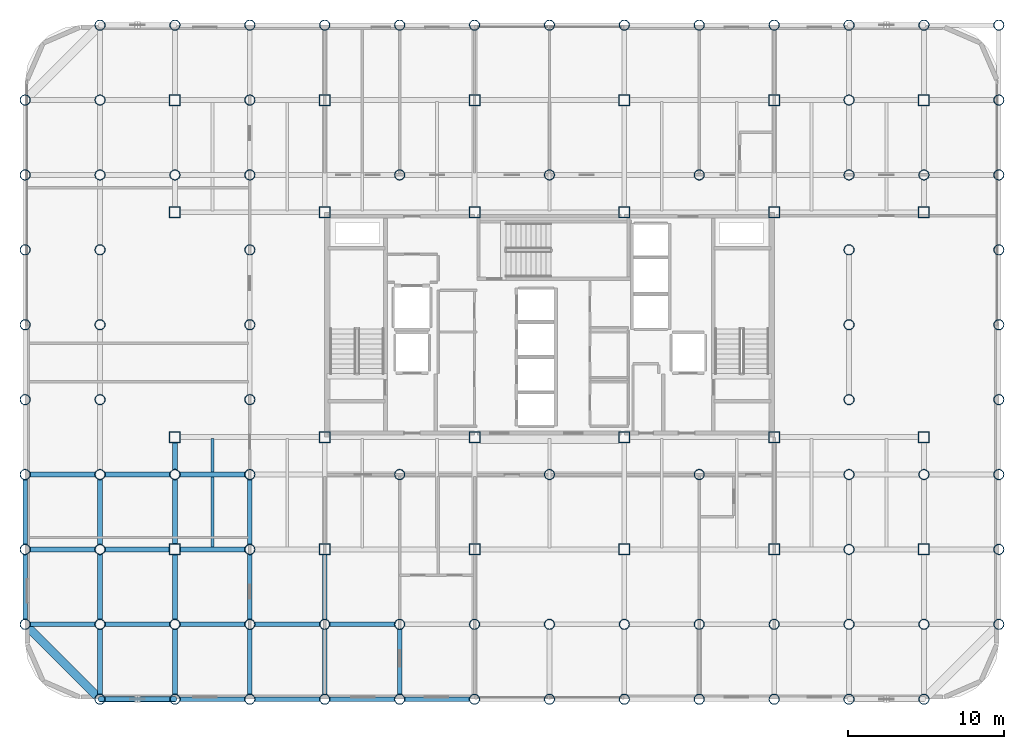
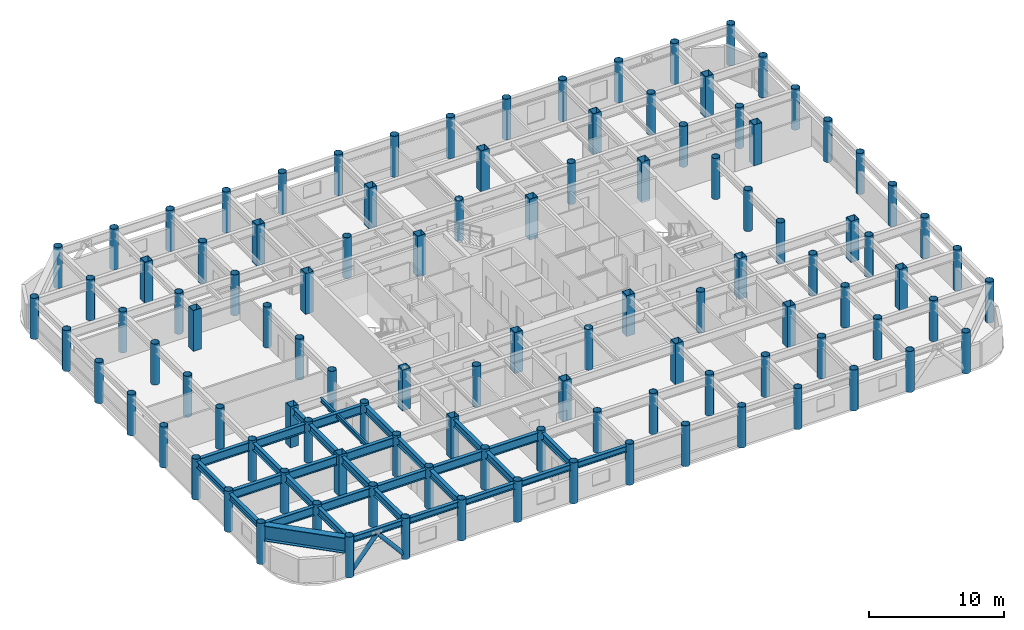
# One storey, part 1 of 20: 108 columns, 33 beams, 2 members.
"""IFC4 building model written with IfcOpenShell, lengths in metres."""

from ifc_helpers import new_model, si_unit, direction, frame, origin, origin_2d, place, context, subcontext, project, spatial, hollow_rectangle, hollow_circle, i_section, extrude, material, material_profile, profile_set, type_object, element, save


model = new_model("IFC4")

# Units and contexts
model_context = context("Model", 3, precision=1e-05, world=origin(), true_north=direction((0.0, 1.0)))
body_context = subcontext(model_context, "Body", "Model", "MODEL_VIEW")
ifc_project = project(units=[si_unit("LENGTHUNIT", "METRE"), si_unit("AREAUNIT", "SQUARE_METRE"), si_unit("VOLUMEUNIT", "CUBIC_METRE"), si_unit("PLANEANGLEUNIT", "RADIAN"), si_unit("MASSUNIT", "GRAM", prefix="KILO")], contexts=[model_context])

# Site, building, storey
site_placement = place(None, origin())
site = spatial("IfcSite", under=ifc_project, at=site_placement, CompositionType="ELEMENT")
building_placement = place(site_placement, origin())
building = spatial("IfcBuilding", under=site, at=building_placement, Name="Kallvorn Hotel Tower", CompositionType="ELEMENT")
storey_placement = place(building_placement, frame((0.0, 0.0, 172.89990234375)))
storey = spatial("IfcBuildingStorey", under=building, at=storey_placement, Name="L43", CompositionType="ELEMENT", Elevation=172.89990234375)

# Columns
ifc_material_1 = material(Name="Structural steel S355J2H", Category="steel")
ifc_material_profile_1 = material_profile(ifc_material_1, hollow_circle(Radius=0.330078125, WallThickness=0.028076171875, at=origin_2d()), Name="CHS 660x28")
ifc_profile_set_1 = profile_set([ifc_material_profile_1], Name="Structural steel S355J2H")
column_type_1 = type_object("IfcColumnType", Name="COL_CHS_660", PredefinedType="COLUMN", material=ifc_profile_set_1)
for number, where, z_axis, x_axis, name in (
    (1, (-33.60009765625, -19.199951171875, 0.0), (0.0, 0.0, 1.0), (1.0, 0.0, 0.0), "L43 Exoskeleton Column EC01"),
    (2, (-33.60009765625, -14.39990234375, 0.0), (0.0, 0.0, 1.0), (1.0, 0.0, 0.0), "L43 Exoskeleton Column EC02"),
    (3, (-33.60009765625, -9.60009765625, 0.0), (0.0, 0.0, 1.0), (1.0, 0.0, 0.0), "L43 Exoskeleton Column EC03"),
    (4, (-33.60009765625, -4.800048828125, 0.0), (0.0, 0.0, 1.0), (1.0, 0.0, 0.0), "L43 Exoskeleton Column EC04"),
    (5, (-33.60009765625, 0.0, 0.0), (0.0, 0.0, 1.0), (1.0, 0.0, 0.0), "L43 Exoskeleton Column EC05"),
    (6, (-33.60009765625, 4.800048828125, 0.0), (0.0, 0.0, 1.0), (1.0, 0.0, 0.0), "L43 Exoskeleton Column EC06"),
    (7, (-33.60009765625, 9.60009765625, 0.0), (0.0, 0.0, 1.0), (1.0, 0.0, 0.0), "L43 Exoskeleton Column EC07"),
    (8, (-33.60009765625, 14.39990234375, 0.0), (0.0, 0.0, 1.0), (1.0, 0.0, 0.0), "L43 Exoskeleton Column EC08"),
    (9, (-28.800048828125, -24.0, 0.0), (0.0, 0.0, 1.0), (1.0, 0.0, 0.0), "L43 Exoskeleton Column EC09"),
    (10, (-28.800048828125, -19.199951171875, 0.0), (0.0, 0.0, 1.0), (1.0, 0.0, 0.0), "L43 Exoskeleton Column EC10"),
    (11, (-28.800048828125, -14.39990234375, 0.0), (0.0, 0.0, 1.0), (1.0, 0.0, 0.0), "L43 Exoskeleton Column EC11"),
    (12, (-28.800048828125, -9.60009765625, 0.0), (0.0, 0.0, 1.0), (1.0, 0.0, 0.0), "L43 Exoskeleton Column EC12"),
    (13, (-28.800048828125, -4.800048828125, 0.0), (0.0, 0.0, 1.0), (1.0, 0.0, 0.0), "L43 Exoskeleton Column EC13"),
    (14, (-28.800048828125, 0.0, 0.0), (0.0, 0.0, 1.0), (1.0, 0.0, 0.0), "L43 Exoskeleton Column EC14"),
    (15, (-28.800048828125, 4.800048828125, 0.0), (0.0, 0.0, 1.0), (1.0, 0.0, 0.0), "L43 Exoskeleton Column EC15"),
    (16, (-28.800048828125, 9.60009765625, 0.0), (0.0, 0.0, 1.0), (1.0, 0.0, 0.0), "L43 Exoskeleton Column EC16"),
    (17, (-28.800048828125, 14.39990234375, 0.0), (0.0, 0.0, 1.0), (1.0, 0.0, 0.0), "L43 Exoskeleton Column EC17"),
    (18, (-28.800048828125, 19.199951171875, 0.0), (0.0, 0.0, 1.0), (1.0, 0.0, 0.0), "L43 Exoskeleton Column EC18"),
    (19, (-24.0, -24.0, 0.0), (0.0, 0.0, 1.0), (1.0, 0.0, 0.0), "L43 Exoskeleton Column EC19"),
    (20, (-24.0, -19.199951171875, 0.0), (0.0, 0.0, 1.0), (1.0, 0.0, 0.0), "L43 Exoskeleton Column EC20"),
    (21, (-24.0, -9.60009765625, 0.0), (0.0, 0.0, 1.0), (1.0, 0.0, 0.0), "L43 Exoskeleton Column EC21"),
    (22, (-24.0, 9.60009765625, 0.0), (0.0, 0.0, 1.0), (1.0, 0.0, 0.0), "L43 Exoskeleton Column EC22"),
    (23, (-24.0, 19.199951171875, 0.0), (0.0, 0.0, 1.0), (1.0, 0.0, 0.0), "L43 Exoskeleton Column EC23"),
    (24, (-19.199951171875, -24.0, 0.0), (0.0, 0.0, 1.0), (1.0, 0.0, 0.0), "L43 Exoskeleton Column EC24"),
    (25, (-19.199951171875, -19.199951171875, 0.0), (0.0, 0.0, 1.0), (1.0, 0.0, 0.0), "L43 Exoskeleton Column EC25"),
    (26, (-19.199951171875, -14.39990234375, 0.0), (0.0, 0.0, 1.0), (1.0, 0.0, 0.0), "L43 Exoskeleton Column EC26"),
    (27, (-19.199951171875, -9.60009765625, 0.0), (0.0, 0.0, 1.0), (1.0, 0.0, 0.0), "L43 Exoskeleton Column EC27"),
    (28, (-19.199951171875, -4.800048828125, 0.0), (0.0, 0.0, 1.0), (1.0, 0.0, 0.0), "L43 Exoskeleton Column EC28"),
    (29, (-19.199951171875, 0.0, 0.0), (0.0, 0.0, 1.0), (1.0, 0.0, 0.0), "L43 Exoskeleton Column EC29"),
    (30, (-19.199951171875, 4.800048828125, 0.0), (0.0, 0.0, 1.0), (1.0, 0.0, 0.0), "L43 Exoskeleton Column EC30"),
    (31, (-19.199951171875, 9.60009765625, 0.0), (0.0, 0.0, 1.0), (1.0, 0.0, 0.0), "L43 Exoskeleton Column EC31"),
    (32, (-19.199951171875, 14.39990234375, 0.0), (0.0, 0.0, 1.0), (1.0, 0.0, 0.0), "L43 Exoskeleton Column EC32"),
    (33, (-19.199951171875, 19.199951171875, 0.0), (0.0, 0.0, 1.0), (1.0, 0.0, 0.0), "L43 Exoskeleton Column EC33"),
    (34, (-14.39990234375, -24.0, 0.0), (0.0, 0.0, 1.0), (1.0, 0.0, 0.0), "L43 Exoskeleton Column EC34"),
    (35, (-14.39990234375, -19.199951171875, 0.0), (0.0, 0.0, 1.0), (1.0, 0.0, 0.0), "L43 Exoskeleton Column EC35"),
    (36, (-14.39990234375, 19.199951171875, 0.0), (0.0, 0.0, 1.0), (1.0, 0.0, 0.0), "L43 Exoskeleton Column EC36"),
    (37, (-9.60009765625, -24.0, 0.0), (0.0, 0.0, 1.0), (1.0, 0.0, 0.0), "L43 Exoskeleton Column EC37"),
    (38, (-9.60009765625, -19.199951171875, 0.0), (0.0, 0.0, 1.0), (1.0, 0.0, 0.0), "L43 Exoskeleton Column EC38"),
    (39, (-9.60009765625, -9.60009765625, 0.0), (0.0, 0.0, 1.0), (1.0, 0.0, 0.0), "L43 Exoskeleton Column EC39"),
    (40, (-9.60009765625, 9.60009765625, 0.0), (0.0, 0.0, 1.0), (1.0, 0.0, 0.0), "L43 Exoskeleton Column EC40"),
    (41, (-9.60009765625, 19.199951171875, 0.0), (0.0, 0.0, 1.0), (1.0, 0.0, 0.0), "L43 Exoskeleton Column EC41"),
    (42, (-4.800048828125, -24.0, 0.0), (0.0, 0.0, 1.0), (1.0, 0.0, 0.0), "L43 Exoskeleton Column EC42"),
    (43, (-4.800048828125, -19.199951171875, 0.0), (0.0, 0.0, 1.0), (1.0, 0.0, 0.0), "L43 Exoskeleton Column EC43"),
    (44, (-4.800048828125, 19.199951171875, 0.0), (0.0, 0.0, 1.0), (1.0, 0.0, 0.0), "L43 Exoskeleton Column EC44"),
    (45, (0.0, -24.0, 0.0), (0.0, 0.0, 1.0), (1.0, 0.0, 0.0), "L43 Exoskeleton Column EC45"),
    (46, (0.0, -19.199951171875, 0.0), (0.0, 0.0, 1.0), (1.0, 0.0, 0.0), "L43 Exoskeleton Column EC46"),
    (47, (0.0, -9.60009765625, 0.0), (0.0, 0.0, 1.0), (1.0, 0.0, 0.0), "L43 Exoskeleton Column EC47"),
    (48, (0.0, 9.60009765625, 0.0), (0.0, 0.0, 1.0), (1.0, 0.0, 0.0), "L43 Exoskeleton Column EC48"),
    (49, (0.0, 19.199951171875, 0.0), (0.0, 0.0, 1.0), (1.0, 0.0, 0.0), "L43 Exoskeleton Column EC49"),
    (50, (4.800048828125, -24.0, 0.0), (0.0, 0.0, 1.0), (1.0, 0.0, 0.0), "L43 Exoskeleton Column EC50"),
    (51, (4.800048828125, -19.199951171875, 0.0), (0.0, 0.0, 1.0), (1.0, 0.0, 0.0), "L43 Exoskeleton Column EC51"),
    (52, (4.800048828125, 19.199951171875, 0.0), (0.0, 0.0, 1.0), (1.0, 0.0, 0.0), "L43 Exoskeleton Column EC52"),
    (53, (9.60009765625, -24.0, 0.0), (0.0, 0.0, 1.0), (1.0, 0.0, 0.0), "L43 Exoskeleton Column EC53"),
    (54, (9.60009765625, -19.199951171875, 0.0), (0.0, 0.0, 1.0), (1.0, 0.0, 0.0), "L43 Exoskeleton Column EC54"),
    (55, (9.60009765625, -9.60009765625, 0.0), (0.0, 0.0, 1.0), (1.0, 0.0, 0.0), "L43 Exoskeleton Column EC55"),
    (56, (9.60009765625, 9.60009765625, 0.0), (0.0, 0.0, 1.0), (1.0, 0.0, 0.0), "L43 Exoskeleton Column EC56"),
    (57, (9.60009765625, 19.199951171875, 0.0), (0.0, 0.0, 1.0), (1.0, 0.0, 0.0), "L43 Exoskeleton Column EC57"),
    (58, (14.39990234375, -24.0, 0.0), (0.0, 0.0, 1.0), (1.0, 0.0, 0.0), "L43 Exoskeleton Column EC58"),
    (59, (14.39990234375, -19.199951171875, 0.0), (0.0, 0.0, 1.0), (1.0, 0.0, 0.0), "L43 Exoskeleton Column EC59"),
    (60, (14.39990234375, 19.199951171875, 0.0), (0.0, 0.0, 1.0), (1.0, 0.0, 0.0), "L43 Exoskeleton Column EC60"),
    (61, (19.199951171875, -24.0, 0.0), (0.0, 0.0, 1.0), (1.0, 0.0, 0.0), "L43 Exoskeleton Column EC61"),
    (62, (19.199951171875, -19.199951171875, 0.0), (0.0, 0.0, 1.0), (1.0, 0.0, 0.0), "L43 Exoskeleton Column EC62"),
    (63, (19.199951171875, -14.39990234375, 0.0), (0.0, 0.0, 1.0), (1.0, 0.0, 0.0), "L43 Exoskeleton Column EC63"),
    (64, (19.199951171875, -9.60009765625, 0.0), (0.0, 0.0, 1.0), (1.0, 0.0, 0.0), "L43 Exoskeleton Column EC64"),
    (65, (19.199951171875, -4.800048828125, 0.0), (0.0, 0.0, 1.0), (1.0, 0.0, 0.0), "L43 Exoskeleton Column EC65"),
    (66, (19.199951171875, 0.0, 0.0), (0.0, 0.0, 1.0), (1.0, 0.0, 0.0), "L43 Exoskeleton Column EC66"),
    (67, (19.199951171875, 4.800048828125, 0.0), (0.0, 0.0, 1.0), (1.0, 0.0, 0.0), "L43 Exoskeleton Column EC67"),
    (68, (19.199951171875, 9.60009765625, 0.0), (0.0, 0.0, 1.0), (1.0, 0.0, 0.0), "L43 Exoskeleton Column EC68"),
    (69, (19.199951171875, 14.39990234375, 0.0), (0.0, 0.0, 1.0), (1.0, 0.0, 0.0), "L43 Exoskeleton Column EC69"),
    (70, (19.199951171875, 19.199951171875, 0.0), (0.0, 0.0, 1.0), (1.0, 0.0, 0.0), "L43 Exoskeleton Column EC70"),
    (71, (24.0, -24.0, 0.0), (0.0, 0.0, 1.0), (1.0, 0.0, 0.0), "L43 Exoskeleton Column EC71"),
    (72, (24.0, -19.199951171875, 0.0), (0.0, 0.0, 1.0), (1.0, 0.0, 0.0), "L43 Exoskeleton Column EC72"),
    (73, (24.0, -9.60009765625, 0.0), (0.0, 0.0, 1.0), (1.0, 0.0, 0.0), "L43 Exoskeleton Column EC73"),
    (74, (24.0, 9.60009765625, 0.0), (0.0, 0.0, 1.0), (1.0, 0.0, 0.0), "L43 Exoskeleton Column EC74"),
    (75, (24.0, 19.199951171875, 0.0), (0.0, 0.0, 1.0), (1.0, 0.0, 0.0), "L43 Exoskeleton Column EC75"),
    (76, (28.800048828125, -19.199951171875, 0.0), (0.0, 0.0, 1.0), (1.0, 0.0, 0.0), "L43 Exoskeleton Column EC76"),
    (77, (28.800048828125, -14.39990234375, 0.0), (0.0, 0.0, 1.0), (1.0, 0.0, 0.0), "L43 Exoskeleton Column EC77"),
    (78, (28.800048828125, -9.60009765625, 0.0), (0.0, 0.0, 1.0), (1.0, 0.0, 0.0), "L43 Exoskeleton Column EC78"),
    (79, (28.800048828125, -4.800048828125, 0.0), (0.0, 0.0, 1.0), (1.0, 0.0, 0.0), "L43 Exoskeleton Column EC79"),
    (80, (28.800048828125, 0.0, 0.0), (0.0, 0.0, 1.0), (1.0, 0.0, 0.0), "L43 Exoskeleton Column EC80"),
    (81, (28.800048828125, 4.800048828125, 0.0), (0.0, 0.0, 1.0), (1.0, 0.0, 0.0), "L43 Exoskeleton Column EC81"),
    (82, (28.800048828125, 9.60009765625, 0.0), (0.0, 0.0, 1.0), (1.0, 0.0, 0.0), "L43 Exoskeleton Column EC82"),
    (83, (28.800048828125, 14.39990234375, 0.0), (0.0, 0.0, 1.0), (1.0, 0.0, 0.0), "L43 Exoskeleton Column EC83"),
    (84, (28.800048828125, 19.199951171875, 0.0), (0.0, 0.0, 1.0), (1.0, 0.0, 0.0), "L43 Exoskeleton Column EC84"),
):
    element("IfcColumn", number, at=place(storey_placement, frame(where, z_axis=z_axis, x_axis=x_axis)), inside=storey, type_object=column_type_1, Name=name, PredefinedType="COLUMN", context=body_context, shape_type="SweptSolid", body=[
        extrude(hollow_circle(Radius=0.330078125, WallThickness=0.028076171875, at=origin_2d()), origin(), (0.0, 0.0, 1.0), 3.7001953125),
    ])
ifc_material_2 = material(Name="Structural steel S355J2H", Category="steel")
ifc_material_profile_2 = material_profile(ifc_material_2, hollow_rectangle(XDim=0.699951171875, YDim=0.699951171875, WallThickness=0.031982421875, at=origin_2d()), Name="RHS 700x700x32")
ifc_profile_set_2 = profile_set([ifc_material_profile_2], Name="Structural steel S355J2H")
column_type_2 = type_object("IfcColumnType", Name="COL_RHS_700", PredefinedType="COLUMN", material=ifc_profile_set_2)
for number, where, z_axis, x_axis, name in (
    (85, (-24.0, -14.39990234375, 0.0), (0.0, 0.0, 1.0), (1.0, 0.0, 0.0), "L43 Inner Column IC01"),
    (86, (-24.0, -7.199951171875, 0.0), (0.0, 0.0, 1.0), (1.0, 0.0, 0.0), "L43 Inner Column IC02"),
    (87, (-24.0, 7.199951171875, 0.0), (0.0, 0.0, 1.0), (1.0, 0.0, 0.0), "L43 Inner Column IC03"),
    (88, (-24.0, 14.39990234375, 0.0), (0.0, 0.0, 1.0), (1.0, 0.0, 0.0), "L43 Inner Column IC04"),
    (89, (-14.39990234375, -14.39990234375, 0.0), (0.0, 0.0, 1.0), (1.0, 0.0, 0.0), "L43 Inner Column IC05"),
    (90, (-14.39990234375, -7.199951171875, 0.0), (0.0, 0.0, 1.0), (1.0, 0.0, 0.0), "L43 Inner Column IC06"),
    (91, (-14.39990234375, 7.199951171875, 0.0), (0.0, 0.0, 1.0), (1.0, 0.0, 0.0), "L43 Inner Column IC07"),
    (92, (-14.39990234375, 14.39990234375, 0.0), (0.0, 0.0, 1.0), (1.0, 0.0, 0.0), "L43 Inner Column IC08"),
    (93, (-4.800048828125, -14.39990234375, 0.0), (0.0, 0.0, 1.0), (1.0, 0.0, 0.0), "L43 Inner Column IC09"),
    (94, (-4.800048828125, -7.199951171875, 0.0), (0.0, 0.0, 1.0), (1.0, 0.0, 0.0), "L43 Inner Column IC10"),
    (95, (-4.800048828125, 7.199951171875, 0.0), (0.0, 0.0, 1.0), (1.0, 0.0, 0.0), "L43 Inner Column IC11"),
    (96, (-4.800048828125, 14.39990234375, 0.0), (0.0, 0.0, 1.0), (1.0, 0.0, 0.0), "L43 Inner Column IC12"),
    (97, (4.800048828125, -14.39990234375, 0.0), (0.0, 0.0, 1.0), (1.0, 0.0, 0.0), "L43 Inner Column IC13"),
    (98, (4.800048828125, -7.199951171875, 0.0), (0.0, 0.0, 1.0), (1.0, 0.0, 0.0), "L43 Inner Column IC14"),
    (99, (4.800048828125, 7.199951171875, 0.0), (0.0, 0.0, 1.0), (1.0, 0.0, 0.0), "L43 Inner Column IC15"),
    (100, (4.800048828125, 14.39990234375, 0.0), (0.0, 0.0, 1.0), (1.0, 0.0, 0.0), "L43 Inner Column IC16"),
    (101, (14.39990234375, -14.39990234375, 0.0), (0.0, 0.0, 1.0), (1.0, 0.0, 0.0), "L43 Inner Column IC17"),
    (102, (14.39990234375, -7.199951171875, 0.0), (0.0, 0.0, 1.0), (1.0, 0.0, 0.0), "L43 Inner Column IC18"),
    (103, (14.39990234375, 7.199951171875, 0.0), (0.0, 0.0, 1.0), (1.0, 0.0, 0.0), "L43 Inner Column IC19"),
    (104, (14.39990234375, 14.39990234375, 0.0), (0.0, 0.0, 1.0), (1.0, 0.0, 0.0), "L43 Inner Column IC20"),
    (105, (24.0, -14.39990234375, 0.0), (0.0, 0.0, 1.0), (1.0, 0.0, 0.0), "L43 Inner Column IC21"),
    (106, (24.0, -7.199951171875, 0.0), (0.0, 0.0, 1.0), (1.0, 0.0, 0.0), "L43 Inner Column IC22"),
    (107, (24.0, 7.199951171875, 0.0), (0.0, 0.0, 1.0), (1.0, 0.0, 0.0), "L43 Inner Column IC23"),
    (108, (24.0, 14.39990234375, 0.0), (0.0, 0.0, 1.0), (1.0, 0.0, 0.0), "L43 Inner Column IC24"),
):
    element("IfcColumn", number, at=place(storey_placement, frame(where, z_axis=z_axis, x_axis=x_axis)), inside=storey, type_object=column_type_2, Name=name, PredefinedType="COLUMN", context=body_context, shape_type="SweptSolid", body=[
        extrude(hollow_rectangle(XDim=0.699951171875, YDim=0.699951171875, WallThickness=0.031982421875, at=origin_2d()), origin(), (0.0, 0.0, 1.0), 3.7001953125),
    ])

# Beams
ifc_material_3 = material(Name="Structural steel S355JR", Category="steel")
ifc_material_profile_3 = material_profile(ifc_material_3, i_section(OverallWidth=0.300048828125, OverallDepth=0.550048828125, WebThickness=0.014892578125, FlangeThickness=0.029052734375, at=origin_2d()), Name="HE 550 B")
ifc_profile_set_3 = profile_set([ifc_material_profile_3], Name="Structural steel S355JR")
beam_type_1 = type_object("IfcBeamType", Name="BM_HE550B", PredefinedType="SPANDREL", material=ifc_profile_set_3)
for number, where, z_axis, x_axis, name in (
    (109, (-28.47998046875, -24.0, 3.2451171875), (1.0, 0.0, 0.0), (0.0, 1.0, 0.0), "L44 Perimeter Spandrel 151"),
    (110, (-23.679931640625, -24.0, 3.2451171875), (1.0, 0.0, 0.0), (0.0, 1.0, 0.0), "L44 Perimeter Spandrel 152"),
    (111, (-18.8798828125, -24.0, 3.2451171875), (1.0, 0.0, 0.0), (0.0, 1.0, 0.0), "L44 Perimeter Spandrel 153"),
):
    element("IfcBeam", number, at=place(storey_placement, frame(where, z_axis=z_axis, x_axis=x_axis)), inside=storey, type_object=beam_type_1, Name=name, PredefinedType="SPANDREL", context=body_context, shape_type="SweptSolid", body=[
        extrude(i_section(OverallWidth=0.300048828125, OverallDepth=0.550048828125, WebThickness=0.014892578125, FlangeThickness=0.029052734375, at=origin_2d()), origin(), (0.0, 0.0, 1.0), 4.159912109375),
    ])
beam_1_placement = place(storey_placement, frame((-14.080078125, -24.0, 3.2451171875), z_axis=(1.0, 0.0, 0.0), x_axis=(0.0, 1.0, 0.0)))
element("IfcBeam", 112, at=beam_1_placement, inside=storey, type_object=beam_type_1, Name="L44 Perimeter Spandrel 154", PredefinedType="SPANDREL", context=body_context, shape_type="SweptSolid", body=[
    extrude(i_section(OverallWidth=0.300048828125, OverallDepth=0.550048828125, WebThickness=0.014892578125, FlangeThickness=0.029052734375, at=origin_2d()), origin(), (0.0, 0.0, 1.0), 4.16015625),
])
for number, where, z_axis, x_axis, name in (
    (113, (-9.280029296875, -24.0, 3.2451171875), (1.0, 0.0, 0.0), (0.0, 1.0, 0.0), "L44 Perimeter Spandrel 155"),
    (114, (-33.60009765625, -18.8798828125, 3.2451171875), (0.0, 1.0, 0.0), (-1.0, 0.0, 0.0), "L44 Perimeter Spandrel 174"),
):
    element("IfcBeam", number, at=place(storey_placement, frame(where, z_axis=z_axis, x_axis=x_axis)), inside=storey, type_object=beam_type_1, Name=name, PredefinedType="SPANDREL", context=body_context, shape_type="SweptSolid", body=[
        extrude(i_section(OverallWidth=0.300048828125, OverallDepth=0.550048828125, WebThickness=0.014892578125, FlangeThickness=0.029052734375, at=origin_2d()), origin(), (0.0, 0.0, 1.0), 4.159912109375),
    ])
beam_2_placement = place(storey_placement, frame((-33.60009765625, -14.080078125, 3.2451171875), z_axis=(0.0, 1.0, 0.0), x_axis=(-1.0, 0.0, 0.0)))
element("IfcBeam", 115, at=beam_2_placement, inside=storey, type_object=beam_type_1, Name="L44 Perimeter Spandrel 175", PredefinedType="SPANDREL", context=body_context, shape_type="SweptSolid", body=[
    extrude(i_section(OverallWidth=0.300048828125, OverallDepth=0.550048828125, WebThickness=0.014892578125, FlangeThickness=0.029052734375, at=origin_2d()), origin(), (0.0, 0.0, 1.0), 4.16015625),
])
ifc_material_4 = material(Name="Structural steel S355JR", Category="steel")
ifc_material_profile_4 = material_profile(ifc_material_4, i_section(OverallWidth=0.300048828125, OverallDepth=0.64990234375, WebThickness=0.01611328125, FlangeThickness=0.031005859375, at=origin_2d()), Name="HE 650 B")
ifc_profile_set_4 = profile_set([ifc_material_profile_4], Name="Structural steel S355JR")
beam_type_2 = type_object("IfcBeamType", Name="BM_HE650B", PredefinedType="BEAM", material=ifc_profile_set_4)
beam_3_placement = place(storey_placement, frame((-28.800048828125, -23.695068359375, 3.195068359375), z_axis=(0.0, 1.0, 0.0), x_axis=(-1.0, 0.0, 0.0)))
element("IfcBeam", 116, at=beam_3_placement, inside=storey, type_object=beam_type_2, Name="L44 Primary Y-Girder 73", PredefinedType="BEAM", context=body_context, shape_type="SweptSolid", body=[
    extrude(i_section(OverallWidth=0.300048828125, OverallDepth=0.64990234375, WebThickness=0.01611328125, FlangeThickness=0.031005859375, at=origin_2d()), origin(), (0.0, 0.0, 1.0), 4.190185546875),
])
for number, where, z_axis, x_axis, name in (
    (117, (-28.800048828125, -18.89501953125, 3.195068359375), (0.0, 1.0, 0.0), (-1.0, 0.0, 0.0), "L44 Primary Y-Girder 74"),
    (118, (-28.800048828125, -14.094970703125, 3.195068359375), (0.0, 1.0, 0.0), (-1.0, 0.0, 0.0), "L44 Primary Y-Girder 75"),
):
    element("IfcBeam", number, at=place(storey_placement, frame(where, z_axis=z_axis, x_axis=x_axis)), inside=storey, type_object=beam_type_2, Name=name, PredefinedType="BEAM", context=body_context, shape_type="SweptSolid", body=[
        extrude(i_section(OverallWidth=0.300048828125, OverallDepth=0.64990234375, WebThickness=0.01611328125, FlangeThickness=0.031005859375, at=origin_2d()), origin(), (0.0, 0.0, 1.0), 4.18994140625),
    ])
beam_4_placement = place(storey_placement, frame((-24.0, -23.695068359375, 3.195068359375), z_axis=(0.0, 1.0, 0.0), x_axis=(-1.0, 0.0, 0.0)))
element("IfcBeam", 119, at=beam_4_placement, inside=storey, type_object=beam_type_2, Name="L44 Primary Y-Girder 82", PredefinedType="BEAM", context=body_context, shape_type="SweptSolid", body=[
    extrude(i_section(OverallWidth=0.300048828125, OverallDepth=0.64990234375, WebThickness=0.01611328125, FlangeThickness=0.031005859375, at=origin_2d()), origin(), (0.0, 0.0, 1.0), 4.190185546875),
])
for number, where, z_axis, x_axis, name in (
    (120, (-24.0, -18.89501953125, 3.195068359375), (0.0, 1.0, 0.0), (-1.0, 0.0, 0.0), "L44 Primary Y-Girder 83"),
    (121, (-24.0, -14.074951171875, 3.195068359375), (0.0, 1.0, 0.0), (-1.0, 0.0, 0.0), "L44 Primary Y-Girder 84"),
):
    element("IfcBeam", number, at=place(storey_placement, frame(where, z_axis=z_axis, x_axis=x_axis)), inside=storey, type_object=beam_type_2, Name=name, PredefinedType="BEAM", context=body_context, shape_type="SweptSolid", body=[
        extrude(i_section(OverallWidth=0.300048828125, OverallDepth=0.64990234375, WebThickness=0.01611328125, FlangeThickness=0.031005859375, at=origin_2d()), origin(), (0.0, 0.0, 1.0), 4.169921875),
    ])
beam_5_placement = place(storey_placement, frame((-24.0, -9.294921875, 3.195068359375), z_axis=(0.0, 1.0, 0.0), x_axis=(-1.0, 0.0, 0.0)))
element("IfcBeam", 122, at=beam_5_placement, inside=storey, type_object=beam_type_2, Name="L44 Primary Y-Girder 85", PredefinedType="BEAM", context=body_context, shape_type="SweptSolid", body=[
    extrude(i_section(OverallWidth=0.300048828125, OverallDepth=0.64990234375, WebThickness=0.01611328125, FlangeThickness=0.031005859375, at=origin_2d()), origin(), (0.0, 0.0, 1.0), 1.77001953125),
])
beam_6_placement = place(storey_placement, frame((-19.199951171875, -23.695068359375, 3.195068359375), z_axis=(0.0, 1.0, 0.0), x_axis=(-1.0, 0.0, 0.0)))
element("IfcBeam", 123, at=beam_6_placement, inside=storey, type_object=beam_type_2, Name="L44 Primary Y-Girder 89", PredefinedType="BEAM", context=body_context, shape_type="SweptSolid", body=[
    extrude(i_section(OverallWidth=0.300048828125, OverallDepth=0.64990234375, WebThickness=0.01611328125, FlangeThickness=0.031005859375, at=origin_2d()), origin(), (0.0, 0.0, 1.0), 4.190185546875),
])
for number, where, z_axis, x_axis, name in (
    (124, (-19.199951171875, -18.89501953125, 3.195068359375), (0.0, 1.0, 0.0), (-1.0, 0.0, 0.0), "L44 Primary Y-Girder 90"),
    (125, (-19.199951171875, -14.094970703125, 3.195068359375), (0.0, 1.0, 0.0), (-1.0, 0.0, 0.0), "L44 Primary Y-Girder 91"),
):
    element("IfcBeam", number, at=place(storey_placement, frame(where, z_axis=z_axis, x_axis=x_axis)), inside=storey, type_object=beam_type_2, Name=name, PredefinedType="BEAM", context=body_context, shape_type="SweptSolid", body=[
        extrude(i_section(OverallWidth=0.300048828125, OverallDepth=0.64990234375, WebThickness=0.01611328125, FlangeThickness=0.031005859375, at=origin_2d()), origin(), (0.0, 0.0, 1.0), 4.18994140625),
    ])
beam_7_placement = place(storey_placement, frame((-14.39990234375, -23.695068359375, 3.195068359375), z_axis=(0.0, 1.0, 0.0), x_axis=(-1.0, 0.0, 0.0)))
element("IfcBeam", 126, at=beam_7_placement, inside=storey, type_object=beam_type_2, Name="L44 Primary Y-Girder 98", PredefinedType="BEAM", context=body_context, shape_type="SweptSolid", body=[
    extrude(i_section(OverallWidth=0.300048828125, OverallDepth=0.64990234375, WebThickness=0.01611328125, FlangeThickness=0.031005859375, at=origin_2d()), origin(), (0.0, 0.0, 1.0), 4.190185546875),
])
beam_8_placement = place(storey_placement, frame((-14.39990234375, -18.89501953125, 3.195068359375), z_axis=(0.0, 1.0, 0.0), x_axis=(-1.0, 0.0, 0.0)))
element("IfcBeam", 127, at=beam_8_placement, inside=storey, type_object=beam_type_2, Name="L44 Primary Y-Girder 99", PredefinedType="BEAM", context=body_context, shape_type="SweptSolid", body=[
    extrude(i_section(OverallWidth=0.300048828125, OverallDepth=0.64990234375, WebThickness=0.01611328125, FlangeThickness=0.031005859375, at=origin_2d()), origin(), (0.0, 0.0, 1.0), 4.169921875),
])
beam_9_placement = place(storey_placement, frame((-9.60009765625, -23.695068359375, 3.195068359375), z_axis=(0.0, 1.0, 0.0), x_axis=(-1.0, 0.0, 0.0)))
element("IfcBeam", 128, at=beam_9_placement, inside=storey, type_object=beam_type_2, Name="L44 Primary Y-Girder 103", PredefinedType="BEAM", context=body_context, shape_type="SweptSolid", body=[
    extrude(i_section(OverallWidth=0.300048828125, OverallDepth=0.64990234375, WebThickness=0.01611328125, FlangeThickness=0.031005859375, at=origin_2d()), origin(), (0.0, 0.0, 1.0), 4.190185546875),
])
ifc_material_5 = material(Name="Structural steel S355JR", Category="steel")
ifc_material_profile_5 = material_profile(ifc_material_5, i_section(OverallWidth=0.300048828125, OverallDepth=0.800048828125, WebThickness=0.017578125, FlangeThickness=0.032958984375, at=origin_2d()), Name="HE 800 B")
ifc_profile_set_5 = profile_set([ifc_material_profile_5], Name="Structural steel S355JR")
beam_type_3 = type_object("IfcBeamType", Name="BM_HE800B", PredefinedType="BEAM", material=ifc_profile_set_5)
beam_10_placement = place(storey_placement, frame((-33.294921875, -19.199951171875, 3.1201171875), z_axis=(1.0, 0.0, 0.0), x_axis=(0.0, 1.0, 0.0)))
element("IfcBeam", 129, at=beam_10_placement, inside=storey, type_object=beam_type_3, Name="L44 Primary X-Girder 01", PredefinedType="BEAM", context=body_context, shape_type="SweptSolid", body=[
    extrude(i_section(OverallWidth=0.300048828125, OverallDepth=0.800048828125, WebThickness=0.017578125, FlangeThickness=0.032958984375, at=origin_2d()), origin(), (0.0, 0.0, 1.0), 4.18994140625),
])
for number, where, z_axis, x_axis, name in (
    (130, (-28.4951171875, -19.199951171875, 3.1201171875), (1.0, 0.0, 0.0), (0.0, 1.0, 0.0), "L44 Primary X-Girder 02"),
    (131, (-23.695068359375, -19.199951171875, 3.1201171875), (1.0, 0.0, 0.0), (0.0, 1.0, 0.0), "L44 Primary X-Girder 03"),
):
    element("IfcBeam", number, at=place(storey_placement, frame(where, z_axis=z_axis, x_axis=x_axis)), inside=storey, type_object=beam_type_3, Name=name, PredefinedType="BEAM", context=body_context, shape_type="SweptSolid", body=[
        extrude(i_section(OverallWidth=0.300048828125, OverallDepth=0.800048828125, WebThickness=0.017578125, FlangeThickness=0.032958984375, at=origin_2d()), origin(), (0.0, 0.0, 1.0), 4.190185546875),
    ])
for number, where, z_axis, x_axis, name in (
    (132, (-18.89501953125, -19.199951171875, 3.1201171875), (1.0, 0.0, 0.0), (0.0, 1.0, 0.0), "L44 Primary X-Girder 04"),
    (133, (-14.094970703125, -19.199951171875, 3.1201171875), (1.0, 0.0, 0.0), (0.0, 1.0, 0.0), "L44 Primary X-Girder 05"),
    (134, (-33.294921875, -14.39990234375, 3.1201171875), (1.0, 0.0, 0.0), (0.0, 1.0, 0.0), "L44 Primary X-Girder 14"),
):
    element("IfcBeam", number, at=place(storey_placement, frame(where, z_axis=z_axis, x_axis=x_axis)), inside=storey, type_object=beam_type_3, Name=name, PredefinedType="BEAM", context=body_context, shape_type="SweptSolid", body=[
        extrude(i_section(OverallWidth=0.300048828125, OverallDepth=0.800048828125, WebThickness=0.017578125, FlangeThickness=0.032958984375, at=origin_2d()), origin(), (0.0, 0.0, 1.0), 4.18994140625),
    ])
for number, where, z_axis, x_axis, name in (
    (135, (-28.4951171875, -14.39990234375, 3.1201171875), (1.0, 0.0, 0.0), (0.0, 1.0, 0.0), "L44 Primary X-Girder 15"),
    (136, (-23.675048828125, -14.39990234375, 3.1201171875), (1.0, 0.0, 0.0), (0.0, 1.0, 0.0), "L44 Primary X-Girder 16"),
):
    element("IfcBeam", number, at=place(storey_placement, frame(where, z_axis=z_axis, x_axis=x_axis)), inside=storey, type_object=beam_type_3, Name=name, PredefinedType="BEAM", context=body_context, shape_type="SweptSolid", body=[
        extrude(i_section(OverallWidth=0.300048828125, OverallDepth=0.800048828125, WebThickness=0.017578125, FlangeThickness=0.032958984375, at=origin_2d()), origin(), (0.0, 0.0, 1.0), 4.170166015625),
    ])
beam_11_placement = place(storey_placement, frame((-33.294921875, -9.60009765625, 3.1201171875), z_axis=(1.0, 0.0, 0.0), x_axis=(0.0, 1.0, 0.0)))
element("IfcBeam", 137, at=beam_11_placement, inside=storey, type_object=beam_type_3, Name="L44 Primary X-Girder 24", PredefinedType="BEAM", context=body_context, shape_type="SweptSolid", body=[
    extrude(i_section(OverallWidth=0.300048828125, OverallDepth=0.800048828125, WebThickness=0.017578125, FlangeThickness=0.032958984375, at=origin_2d()), origin(), (0.0, 0.0, 1.0), 4.18994140625),
])
for number, where, z_axis, x_axis, name in (
    (138, (-28.4951171875, -9.60009765625, 3.1201171875), (1.0, 0.0, 0.0), (0.0, 1.0, 0.0), "L44 Primary X-Girder 25"),
    (139, (-23.695068359375, -9.60009765625, 3.1201171875), (1.0, 0.0, 0.0), (0.0, 1.0, 0.0), "L44 Primary X-Girder 26"),
):
    element("IfcBeam", number, at=place(storey_placement, frame(where, z_axis=z_axis, x_axis=x_axis)), inside=storey, type_object=beam_type_3, Name=name, PredefinedType="BEAM", context=body_context, shape_type="SweptSolid", body=[
        extrude(i_section(OverallWidth=0.300048828125, OverallDepth=0.800048828125, WebThickness=0.017578125, FlangeThickness=0.032958984375, at=origin_2d()), origin(), (0.0, 0.0, 1.0), 4.190185546875),
    ])
ifc_material_6 = material(Name="Structural steel S355JR", Category="steel")
ifc_material_profile_6 = material_profile(ifc_material_6, i_section(OverallWidth=0.179931640625, OverallDepth=0.39990234375, WebThickness=0.008544921875, FlangeThickness=0.013427734375, at=origin_2d()), Name="IPE 400")
ifc_profile_set_6 = profile_set([ifc_material_profile_6], Name="Structural steel S355JR")
beam_type_4 = type_object("IfcBeamType", Name="BM_IPE400", PredefinedType="JOIST", material=ifc_profile_set_6)
beam_12_placement = place(storey_placement, frame((-21.60009765625, -14.300048828125, 3.320068359375), z_axis=(0.0, 1.0, 0.0), x_axis=(-1.0, 0.0, 0.0)))
element("IfcBeam", 140, at=beam_12_placement, inside=storey, type_object=beam_type_4, Name="L44 Secondary Composite Joist 192", PredefinedType="JOIST", context=body_context, shape_type="SweptSolid", body=[
    extrude(i_section(OverallWidth=0.179931640625, OverallDepth=0.39990234375, WebThickness=0.008544921875, FlangeThickness=0.013427734375, at=origin_2d()), origin(), (0.0, 0.0, 1.0), 7.0),
])
ifc_material_7 = material(Name="Structural steel S355JR", Category="steel")
ifc_material_profile_7 = material_profile(ifc_material_7, i_section(OverallWidth=0.550048828125, OverallDepth=1.39990234375, WebThickness=0.02490234375, FlangeThickness=0.044921875, at=origin_2d()), Name="PG 1400x550x25x45")
ifc_profile_set_7 = profile_set([ifc_material_profile_7], Name="Structural steel S355JR")
beam_type_5 = type_object("IfcBeamType", Name="BM_PG_1400", PredefinedType="BEAM", material=ifc_profile_set_7)
beam_13_placement = place(storey_placement, frame((-33.373779296875, -19.42626953125, 2.820068359375), z_axis=(0.707106781187, -0.707106781187, 0.0), x_axis=(0.707106781187, 0.707106781187, 0.0)))
element("IfcBeam", 141, at=beam_13_placement, inside=storey, type_object=beam_type_5, Name="L44 Rounded Corner Tie Beam 189", PredefinedType="BEAM", context=body_context, shape_type="SweptSolid", body=[
    extrude(i_section(OverallWidth=0.550048828125, OverallDepth=1.39990234375, WebThickness=0.02490234375, FlangeThickness=0.044921875, at=origin_2d()), origin(), (0.0, 0.0, 1.0), 6.148193359375),
])

# Members
ifc_material_8 = material(Name="Structural steel S355J2H", Category="steel")
ifc_material_profile_8 = material_profile(ifc_material_8, hollow_circle(Radius=0.177734375, WallThickness=0.01416015625, at=origin_2d()), Name="CHS 355.6x14.2")
ifc_profile_set_8 = profile_set([ifc_material_profile_8], Name="Structural steel S355J2H")
member_type = type_object("IfcMemberType", Name="MBR_EXO_CHS355", PredefinedType="BRACE", material=ifc_profile_set_8)
for number, where, z_axis, x_axis, name in (
    (142, (-28.787109375, -24.0, 0.1953125), (0.646800487591, 0.0, 0.762659248453), (0.0, 1.0, 0.0), "L43 Exoskeleton K-Brace S1A"),
    (143, (-24.012939453125, -24.0, 0.1953125), (-0.646800487591, 0.0, 0.762659248453), (0.0, -1.0, 0.0), "L43 Exoskeleton K-Brace S1B"),
):
    element("IfcMember", number, at=place(storey_placement, frame(where, z_axis=z_axis, x_axis=x_axis)), inside=storey, type_object=member_type, Name=name, PredefinedType="BRACE", context=body_context, shape_type="SweptSolid", body=[
        extrude(hollow_circle(Radius=0.177734375, WallThickness=0.01416015625, at=origin_2d()), origin(), (0.0, 0.0, 1.0), 3.6708984375),
    ])

save(model, "model.ifc")
